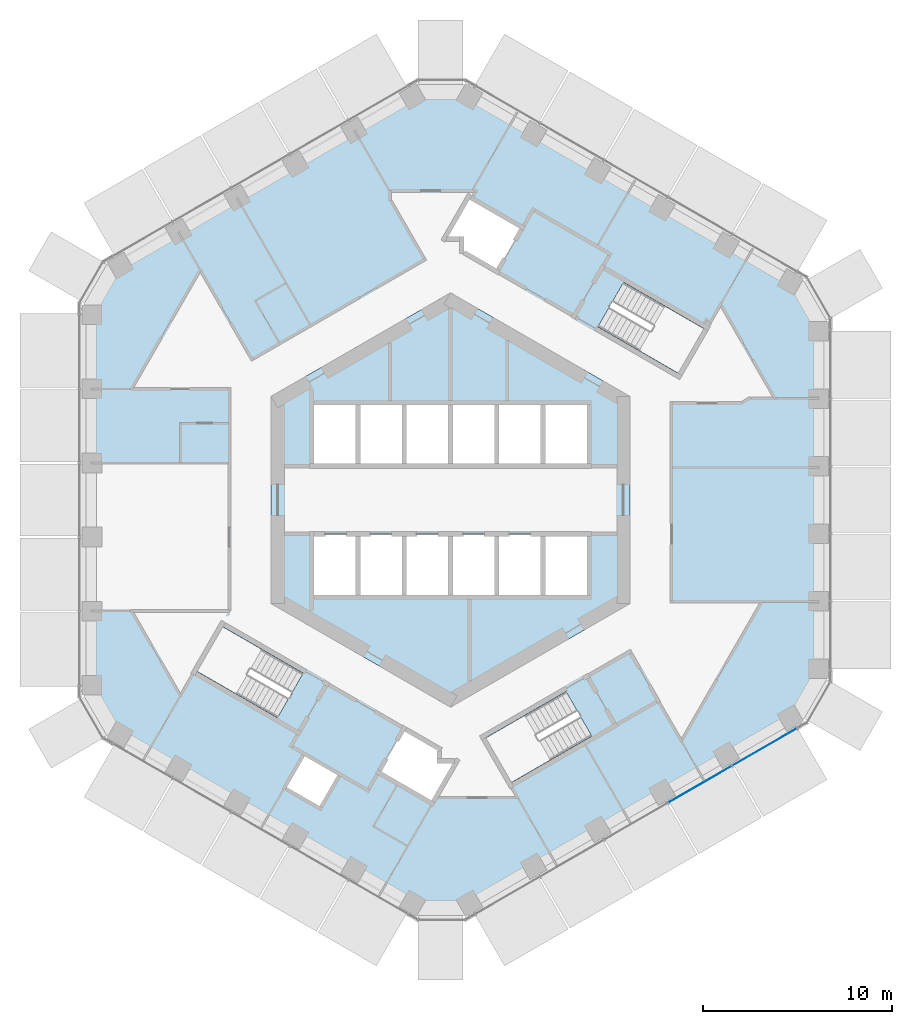
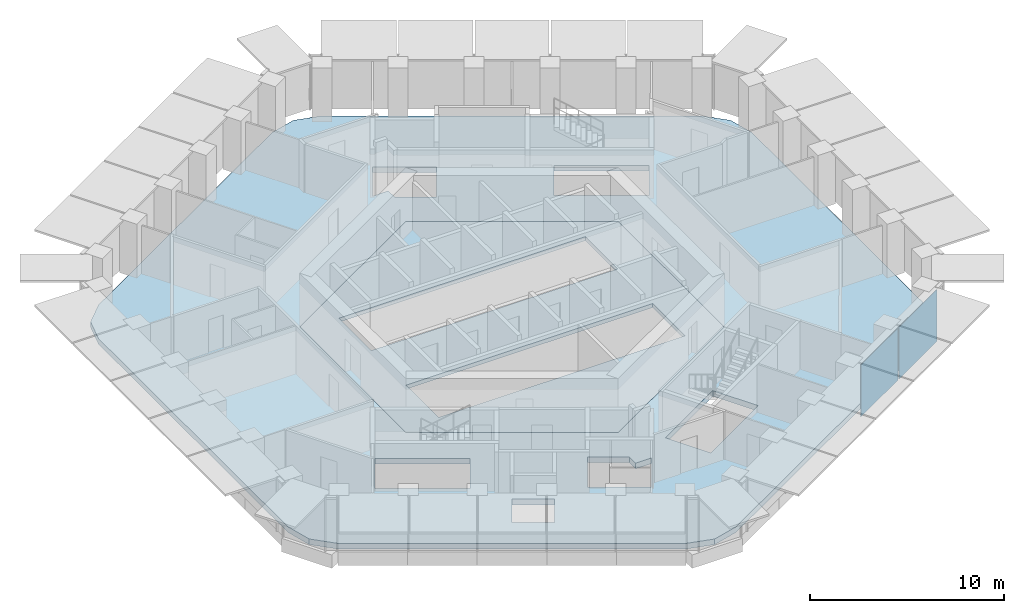
# One storey, part 9 of 18: 2 plates, 2 slabs, 1 element without a shape of its own.
"""IFC4 building model written with IfcOpenShell, lengths in metres."""

from ifc_helpers import new_model, si_unit, direction, frame, origin, origin_2d, place, context, subcontext, project, spatial, polyline, rectangle, outline, extrude, material, layer, layer_set, type_object, element, aggregate, save


model = new_model("IFC4")

# Units and contexts
model_context = context("Model", 3, precision=1e-05, world=origin(), true_north=direction((0.0, 1.0)))
body_context = subcontext(model_context, "Body", "Model", "MODEL_VIEW")
ifc_project = project(units=[si_unit("LENGTHUNIT", "METRE"), si_unit("AREAUNIT", "SQUARE_METRE"), si_unit("VOLUMEUNIT", "CUBIC_METRE"), si_unit("PLANEANGLEUNIT", "RADIAN"), si_unit("MASSUNIT", "GRAM", prefix="KILO")], contexts=[model_context])

# Site, building, storey
site_placement = place(None, origin())
site = spatial("IfcSite", under=ifc_project, at=site_placement, CompositionType="ELEMENT")
building_placement = place(site_placement, origin())
building = spatial("IfcBuilding", under=site, at=building_placement, Name="Ayvan Gate Tower", CompositionType="ELEMENT")
storey_placement = place(building_placement, frame((0.0, 0.0, 110.300048828125)))
storey = spatial("IfcBuildingStorey", under=building, at=storey_placement, Name="L29", CompositionType="ELEMENT", Elevation=110.300048828125)

# Slabs
ifc_material_1 = material(Name="Concrete C40/50", Category="concrete")
ifc_layer_1 = layer(ifc_material_1, 0.35009765625)
ifc_layer_set_1 = layer_set([ifc_layer_1], Name="Concrete C40/50")
slab_type_1 = type_object("IfcSlabType", Name="Post-tensioned flat slab 350", PredefinedType="FLOOR", material=ifc_layer_set_1)
slab_1_placement = place(storey_placement, frame((0.0, 0.0, -0.35009765625)))
element("IfcSlab", 1, at=slab_1_placement, inside=storey, type_object=slab_type_1, Name="SL-L29", PredefinedType="FLOOR", context=body_context, shape_type="SweptSolid", body=[
    extrude(outline(polyline([(-0.474853515625, -21.76171875), (-1.974853515625, -21.35986328125), (-17.5107421875, -12.39013671875), (-18.60888671875, -11.2919921875), (-19.0107421875, -9.7919921875), (-19.0107421875, 9.7919921875), (-18.60888671875, 11.2919921875), (-17.5107421875, 12.39013671875), (-1.974853515625, 21.35986328125), (-0.474853515625, 21.76171875), (1.025146484375, 21.35986328125), (17.985595703125, 11.56787109375), (19.083740234375, 10.4697265625), (19.485595703125, 8.9697265625), (19.485595703125, -8.9697265625), (19.083740234375, -10.4697265625), (17.985595703125, -11.56787109375), (1.025146484375, -21.35986328125), (-0.474853515625, -21.76171875)]), holes=[polyline([(13.404541015625, 9.0673828125), (9.1611328125, 11.517578125), (7.80615234375, 9.170654296875), (12.049560546875, 6.720458984375), (13.404541015625, 9.0673828125)]), polyline([(0.0, 10.9697265625), (-9.5, 5.48486328125), (-9.5, -5.48486328125), (0.0, -10.9697265625), (9.5, -5.48486328125), (9.5, 5.48486328125), (0.0, 10.9697265625)]), polyline([(3.228759765625, -14.9423828125), (7.472412109375, -12.492431640625), (6.117431640625, -10.1455078125), (1.873779296875, -12.595458984375), (3.228759765625, -14.9423828125)]), polyline([(2.472412109375, 12.08251953125), (3.822509765625, 14.420654296875), (0.964599609375, 16.07080078125), (-0.340576171875, 13.81005859375), (0.60009765625, 13.81005859375), (0.60009765625, 13.16357421875), (2.472412109375, 12.08251953125)]), polyline([(0.340576171875, -13.81005859375), (-0.60009765625, -13.81005859375), (-0.60009765625, -13.16357421875), (-2.472412109375, -12.08251953125), (-3.822509765625, -14.420654296875), (-0.964599609375, -16.07080078125), (-0.7861328125, -15.76171875), (0.340576171875, -13.81005859375)]), polyline([(-7.321533203125, -16.095703125), (-6.894775390625, -16.342041015625), (-5.8447265625, -14.5234375), (-7.75, -13.42333984375), (-8.800048828125, -15.241943359375), (-7.321533203125, -16.095703125)]), polyline([(-7.80615234375, -9.170654296875), (-12.049560546875, -6.720458984375), (-13.404541015625, -9.0673828125), (-9.1611328125, -11.517578125), (-7.80615234375, -9.170654296875)])]), origin(), (0.0, 0.0, 1.0), 0.35009765625),
])
ifc_layer_2 = layer(ifc_material_1, 0.25)
ifc_layer_set_2 = layer_set([ifc_layer_2], Name="Concrete C40/50")
slab_type_2 = type_object("IfcSlabType", Name="SL-CORE-250", PredefinedType="FLOOR", material=ifc_layer_set_2)
slab_2_placement = place(storey_placement, frame((0.0, 0.0, -0.25)))
element("IfcSlab", 2, at=slab_2_placement, inside=storey, type_object=slab_type_2, Name="CS-L29", PredefinedType="FLOOR", context=body_context, shape_type="SweptSolid", body=[
    extrude(outline(polyline([(9.5, -5.48486328125), (0.0, -10.9697265625), (-9.5, -5.48486328125), (-9.5, 5.48486328125), (0.0, 10.9697265625), (9.5, 5.48486328125), (9.5, -5.48486328125)]), holes=[polyline([(-7.35009765625, -1.800048828125), (-7.35009765625, -5.14990234375), (7.35009765625, -5.14990234375), (7.35009765625, -1.800048828125), (-7.35009765625, -1.800048828125)]), polyline([(-7.35009765625, 5.14990234375), (-7.35009765625, 1.800048828125), (7.35009765625, 1.800048828125), (7.35009765625, 5.14990234375), (-7.35009765625, 5.14990234375)])]), origin(), (0.0, 0.0, 1.0), 0.25),
])

# Curtain wall, plates
ifc_material_2 = material(Name="Bronze anodised aluminium", Category="aluminium")
ifc_layer_3 = layer(ifc_material_2, 0.199951171875)
ifc_layer_set_3 = layer_set([ifc_layer_3], Name="Bronze anodised aluminium")
curtain_wall_type = type_object("IfcCurtainWallType", Name="Stick curtain wall CW-1", PredefinedType="NOTDEFINED", material=ifc_layer_set_3)
curtain_wall_placement = place(storey_placement, origin())
curtain_wall = element("IfcCurtainWall", 3, at=curtain_wall_placement, inside=storey, type_object=curtain_wall_type, Name="Stick curtain wall CW-1 L29", PredefinedType="NOTDEFINED")
ifc_material_3 = material(Name="Clear low-iron laminated glass", Category="glass")
ifc_layer_4 = layer(ifc_material_3, 0.028076171875)
ifc_layer_set_4 = layer_set([ifc_layer_4], Name="Clear low-iron laminated glass")
plate_type = type_object("IfcPlateType", Name="Stick curtain wall CW-1 glass panel", PredefinedType="CURTAIN_PANEL", material=ifc_layer_set_4)
plate_1_placement = place(storey_placement, frame((13.2158203125, -15.043212890625, 0.0), z_axis=(0.0, 0.0, 1.0), x_axis=(0.866025403784, 0.5, 0.0)))
plate_1 = element("IfcPlate", 4, at=plate_1_placement, type_object=plate_type, Name="CW-1 glass panel 4", PredefinedType="CURTAIN_PANEL", context=body_context, shape_type="SweptSolid", body=[
    extrude(rectangle(XDim=3.864013671875, YDim=0.028076171875, at=origin_2d()), origin(), (0.0, 0.0, 1.0), 3.280029296875),
])
plate_2_placement = place(storey_placement, frame((16.64208984375, -13.065185546875, 0.0), z_axis=(0.0, 0.0, 1.0), x_axis=(0.866025403784, 0.5, 0.0)))
plate_2 = element("IfcPlate", 5, at=plate_2_placement, type_object=plate_type, Name="CW-1 glass panel 5", PredefinedType="CURTAIN_PANEL", context=body_context, shape_type="SweptSolid", body=[
    extrude(rectangle(XDim=3.9287109375, YDim=0.028076171875, at=origin_2d()), origin(), (0.0, 0.0, 1.0), 3.280029296875),
])
aggregate(curtain_wall, [plate_1, plate_2])

save(model, "model.ifc")
